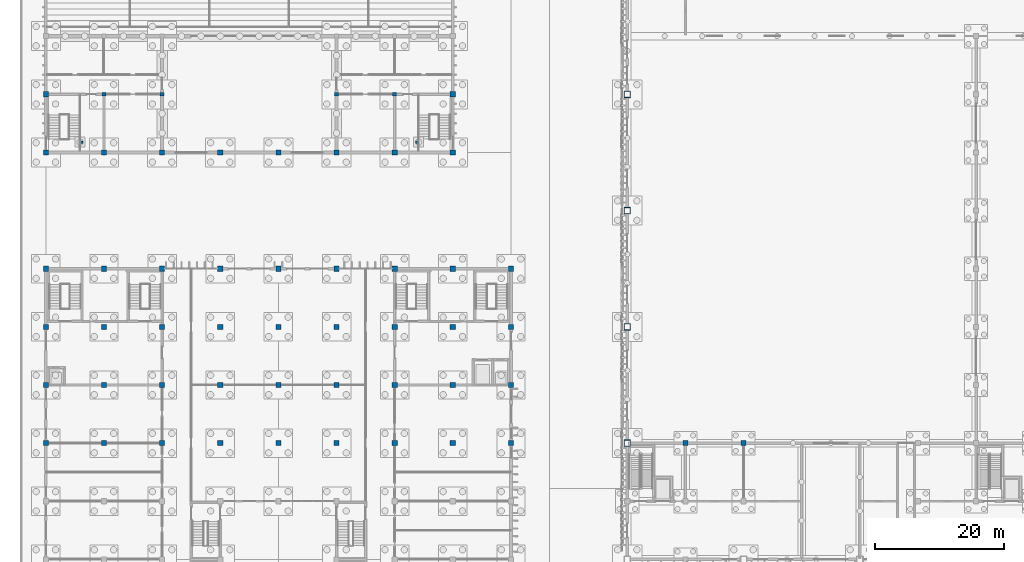
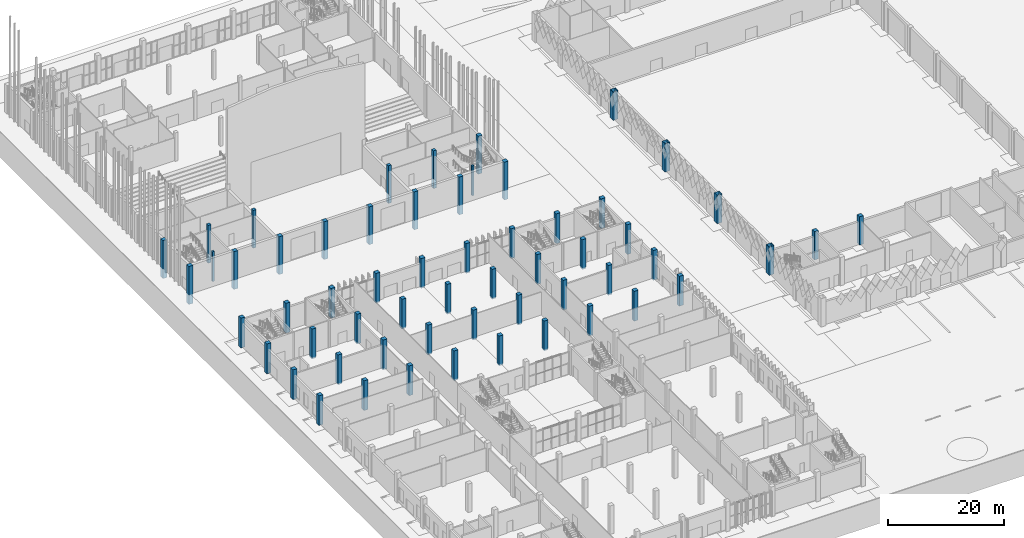
# One storey, part 19 of 198: 58 columns.
"""IFC4 building model written with IfcOpenShell, lengths in metres."""

from ifc_helpers import new_model, si_unit, direction, frame, origin, origin_2d, place, context, subcontext, project, spatial, rectangle, hollow_rectangle, extrude, material, material_profile, profile_set, type_object, element, save


model = new_model("IFC4")

# Units and contexts
model_context = context("Model", 3, precision=1e-05, world=origin(), true_north=direction((0.0, 1.0)))
body_context = subcontext(model_context, "Body", "Model", "MODEL_VIEW")
ifc_project = project(units=[si_unit("LENGTHUNIT", "METRE"), si_unit("AREAUNIT", "SQUARE_METRE"), si_unit("VOLUMEUNIT", "CUBIC_METRE"), si_unit("PLANEANGLEUNIT", "RADIAN"), si_unit("MASSUNIT", "GRAM", prefix="KILO")], contexts=[model_context])

# Site, building, storey
site_placement = place(None, origin())
site = spatial("IfcSite", under=ifc_project, at=site_placement, CompositionType="ELEMENT")
building_placement = place(site_placement, origin())
building = spatial("IfcBuilding", under=site, at=building_placement, Name="Opaline Strait Convention Centre", CompositionType="ELEMENT")
storey_placement = place(building_placement, origin())
storey = spatial("IfcBuildingStorey", under=building, at=storey_placement, Name="L00", CompositionType="ELEMENT", Elevation=0.0)

# Columns
ifc_material_1 = material(Name="Steel Q355B", Category="steel")
ifc_material_profile_1 = material_profile(ifc_material_1, hollow_rectangle(XDim=1.0, YDim=1.0, WallThickness=0.031982421875, at=origin_2d()), Name="BOX 1000x1000x32")
ifc_profile_set_1 = profile_set([ifc_material_profile_1], Name="Steel Q355B")
column_type_1 = type_object("IfcColumnType", Name="CFT column BOX 1000x1000x32 C60 fill", PredefinedType="COLUMN", material=ifc_profile_set_1)
for number, where, z_axis, x_axis, name in (
    (1, (99.0, 72.0, 0.0), (0.0, 0.0, 1.0), (1.0, 0.0, 0.0), "Roof column XC-02"),
    (2, (99.0, 90.0, 0.0), (0.0, 0.0, 1.0), (1.0, 0.0, 0.0), "Roof column XC-03"),
    (3, (99.0, 108.0, 0.0), (0.0, 0.0, 1.0), (1.0, 0.0, 0.0), "Roof column XC-04"),
    (4, (99.0, 126.0, 0.0), (0.0, 0.0, 1.0), (1.0, 0.0, 0.0), "Roof column XC-05"),
):
    element("IfcColumn", number, at=place(storey_placement, frame(where, z_axis=z_axis, x_axis=x_axis)), inside=storey, type_object=column_type_1, Name=name, ObjectType="XC1", PredefinedType="COLUMN", context=body_context, shape_type="SweptSolid", body=[
        extrude(hollow_rectangle(XDim=1.0, YDim=1.0, WallThickness=0.031982421875, at=origin_2d()), origin(), (0.0, 0.0, 1.0), 6.0),
    ])
ifc_material_2 = material(Name="Concrete C40", Category="concrete")
ifc_material_profile_2 = material_profile(ifc_material_2, rectangle(XDim=0.39990234375, YDim=0.39990234375, at=origin_2d()), Name="RC 400x400")
ifc_profile_set_2 = profile_set([ifc_material_profile_2], Name="Concrete C40")
column_type_2 = type_object("IfcColumnType", Name="RC column 400x400 C40", PredefinedType="COLUMN", material=ifc_profile_set_2)
for number, where, z_axis, x_axis, name in (
    (5, (14.550048828125, 118.60009765625, -0.300048828125), (0.0, 0.0, 1.0), (1.0, 0.0, 0.0), "PC3 L00 SW stair landing column"),
    (6, (66.449951171875, 118.60009765625, -0.300048828125), (0.0, 0.0, 1.0), (1.0, 0.0, 0.0), "PC3 L00 SE stair landing column"),
):
    element("IfcColumn", number, at=place(storey_placement, frame(where, z_axis=z_axis, x_axis=x_axis)), inside=storey, type_object=column_type_2, Name=name, PredefinedType="COLUMN", context=body_context, shape_type="SweptSolid", body=[
        extrude(rectangle(XDim=0.39990234375, YDim=0.39990234375, at=origin_2d()), origin(), (0.0, 0.0, 1.0), 6.300048828125),
    ])
ifc_material_profile_3 = material_profile(ifc_material_2, rectangle(XDim=0.60009765625, YDim=0.60009765625, at=origin_2d()), Name="RC 600x600")
ifc_profile_set_3 = profile_set([ifc_material_profile_3], Name="Concrete C40")
column_type_3 = type_object("IfcColumnType", Name="RC column 600x600 C40", PredefinedType="COLUMN", material=ifc_profile_set_3)
for number, where, z_axis, x_axis, name in (
    (7, (18.0, 126.0, -2.0), (0.0, 0.0, 1.0), (1.0, 0.0, 0.0), "PC2 L00 at 3/Q"),
    (8, (27.0, 126.0, -2.0), (0.0, 0.0, 1.0), (1.0, 0.0, 0.0), "PC2 L00 at 4/Q"),
    (9, (54.0, 126.0, -2.0), (0.0, 0.0, 1.0), (1.0, 0.0, 0.0), "PC2 L00 at 7/Q"),
    (10, (63.0, 126.0, -2.0), (0.0, 0.0, 1.0), (1.0, 0.0, 0.0), "PC2 L00 at 8/Q"),
):
    element("IfcColumn", number, at=place(storey_placement, frame(where, z_axis=z_axis, x_axis=x_axis)), inside=storey, type_object=column_type_3, Name=name, PredefinedType="COLUMN", context=body_context, shape_type="SweptSolid", body=[
        extrude(rectangle(XDim=0.60009765625, YDim=0.60009765625, at=origin_2d()), origin(), (0.0, 0.0, 1.0), 8.0),
    ])
ifc_material_profile_4 = material_profile(ifc_material_2, rectangle(XDim=0.800048828125, YDim=0.800048828125, at=origin_2d()), Name="RC 800x800")
ifc_profile_set_4 = profile_set([ifc_material_profile_4], Name="Concrete C40")
column_type_4 = type_object("IfcColumnType", Name="RC column 800x800 C40", PredefinedType="COLUMN", material=ifc_profile_set_4)
for number, where, z_axis, x_axis, name in (
    (11, (108.0, 72.0, 0.0), (0.0, 0.0, 1.0), (1.0, 0.0, 0.0), "Strip column XC-50"),
    (12, (117.0, 72.0, 0.0), (0.0, 0.0, 1.0), (1.0, 0.0, 0.0), "Strip column XC-51"),
):
    element("IfcColumn", number, at=place(storey_placement, frame(where, z_axis=z_axis, x_axis=x_axis)), inside=storey, type_object=column_type_4, Name=name, ObjectType="XC2", PredefinedType="COLUMN", context=body_context, shape_type="SweptSolid", body=[
        extrude(rectangle(XDim=0.800048828125, YDim=0.800048828125, at=origin_2d()), origin(), (0.0, 0.0, 1.0), 6.0),
    ])
for number, where, z_axis, x_axis, name in (
    (13, (9.0, 117.0, -2.0), (0.0, 0.0, 1.0), (1.0, 0.0, 0.0), "XC2 L00 at 2/P"),
    (14, (18.0, 117.0, -2.0), (0.0, 0.0, 1.0), (1.0, 0.0, 0.0), "XC2 L00 at 3/P"),
    (15, (27.0, 117.0, -2.0), (0.0, 0.0, 1.0), (1.0, 0.0, 0.0), "XC2 L00 at 4/P"),
    (16, (36.0, 117.0, -2.0), (0.0, 0.0, 1.0), (1.0, 0.0, 0.0), "XC2 L00 at 5/P"),
    (17, (45.0, 117.0, -2.0), (0.0, 0.0, 1.0), (1.0, 0.0, 0.0), "XC2 L00 at 6/P"),
    (18, (54.0, 117.0, -2.0), (0.0, 0.0, 1.0), (1.0, 0.0, 0.0), "XC2 L00 at 7/P"),
    (19, (63.0, 117.0, -2.0), (0.0, 0.0, 1.0), (1.0, 0.0, 0.0), "XC2 L00 at 8/P"),
    (20, (72.0, 117.0, -2.0), (0.0, 0.0, 1.0), (1.0, 0.0, 0.0), "XC2 L00 at 9/P"),
    (21, (9.0, 126.0, -2.0), (0.0, 0.0, 1.0), (1.0, 0.0, 0.0), "XC2 L00 at 2/Q"),
    (22, (72.0, 126.0, -2.0), (0.0, 0.0, 1.0), (1.0, 0.0, 0.0), "XC2 L00 at 9/Q"),
):
    element("IfcColumn", number, at=place(storey_placement, frame(where, z_axis=z_axis, x_axis=x_axis)), inside=storey, type_object=column_type_4, Name=name, PredefinedType="COLUMN", context=body_context, shape_type="SweptSolid", body=[
        extrude(rectangle(XDim=0.800048828125, YDim=0.800048828125, at=origin_2d()), origin(), (0.0, 0.0, 1.0), 8.0),
    ])
for number, where, z_axis, x_axis, name in (
    (23, (9.0, 72.0, -0.300048828125), (0.0, 0.0, 1.0), (1.0, 0.0, 0.0), "RC1 L00 at 9/72"),
    (24, (9.0, 81.0, -0.300048828125), (0.0, 0.0, 1.0), (1.0, 0.0, 0.0), "RC1 L00 at 9/81"),
    (25, (9.0, 90.0, -0.300048828125), (0.0, 0.0, 1.0), (1.0, 0.0, 0.0), "RC1 L00 at 9/90"),
    (26, (9.0, 99.0, -0.300048828125), (0.0, 0.0, 1.0), (1.0, 0.0, 0.0), "RC1 L00 at 9/99"),
    (27, (18.0, 72.0, -0.300048828125), (0.0, 0.0, 1.0), (1.0, 0.0, 0.0), "RC1 L00 at 18/72"),
    (28, (18.0, 81.0, -0.300048828125), (0.0, 0.0, 1.0), (1.0, 0.0, 0.0), "RC1 L00 at 18/81"),
    (29, (18.0, 90.0, -0.300048828125), (0.0, 0.0, 1.0), (1.0, 0.0, 0.0), "RC1 L00 at 18/90"),
    (30, (18.0, 99.0, -0.300048828125), (0.0, 0.0, 1.0), (1.0, 0.0, 0.0), "RC1 L00 at 18/99"),
    (31, (27.0, 72.0, -0.300048828125), (0.0, 0.0, 1.0), (1.0, 0.0, 0.0), "RC1 L00 at 27/72"),
    (32, (27.0, 81.0, -0.300048828125), (0.0, 0.0, 1.0), (1.0, 0.0, 0.0), "RC1 L00 at 27/81"),
    (33, (27.0, 90.0, -0.300048828125), (0.0, 0.0, 1.0), (1.0, 0.0, 0.0), "RC1 L00 at 27/90"),
    (34, (27.0, 99.0, -0.300048828125), (0.0, 0.0, 1.0), (1.0, 0.0, 0.0), "RC1 L00 at 27/99"),
    (35, (36.0, 72.0, -0.300048828125), (0.0, 0.0, 1.0), (1.0, 0.0, 0.0), "RC1 L00 at 36/72"),
    (36, (36.0, 81.0, -0.300048828125), (0.0, 0.0, 1.0), (1.0, 0.0, 0.0), "RC1 L00 at 36/81"),
    (37, (36.0, 90.0, -0.300048828125), (0.0, 0.0, 1.0), (1.0, 0.0, 0.0), "RC1 L00 at 36/90"),
    (38, (36.0, 99.0, -0.300048828125), (0.0, 0.0, 1.0), (1.0, 0.0, 0.0), "RC1 L00 at 36/99"),
    (39, (45.0, 72.0, -0.300048828125), (0.0, 0.0, 1.0), (1.0, 0.0, 0.0), "RC1 L00 at 45/72"),
    (40, (45.0, 81.0, -0.300048828125), (0.0, 0.0, 1.0), (1.0, 0.0, 0.0), "RC1 L00 at 45/81"),
    (41, (45.0, 90.0, -0.300048828125), (0.0, 0.0, 1.0), (1.0, 0.0, 0.0), "RC1 L00 at 45/90"),
    (42, (45.0, 99.0, -0.300048828125), (0.0, 0.0, 1.0), (1.0, 0.0, 0.0), "RC1 L00 at 45/99"),
    (43, (54.0, 72.0, -0.300048828125), (0.0, 0.0, 1.0), (1.0, 0.0, 0.0), "RC1 L00 at 54/72"),
    (44, (54.0, 81.0, -0.300048828125), (0.0, 0.0, 1.0), (1.0, 0.0, 0.0), "RC1 L00 at 54/81"),
    (45, (54.0, 90.0, -0.300048828125), (0.0, 0.0, 1.0), (1.0, 0.0, 0.0), "RC1 L00 at 54/90"),
    (46, (54.0, 99.0, -0.300048828125), (0.0, 0.0, 1.0), (1.0, 0.0, 0.0), "RC1 L00 at 54/99"),
    (47, (63.0, 72.0, -0.300048828125), (0.0, 0.0, 1.0), (1.0, 0.0, 0.0), "RC1 L00 at 63/72"),
    (48, (63.0, 81.0, -0.300048828125), (0.0, 0.0, 1.0), (1.0, 0.0, 0.0), "RC1 L00 at 63/81"),
    (49, (63.0, 90.0, -0.300048828125), (0.0, 0.0, 1.0), (1.0, 0.0, 0.0), "RC1 L00 at 63/90"),
    (50, (63.0, 99.0, -0.300048828125), (0.0, 0.0, 1.0), (1.0, 0.0, 0.0), "RC1 L00 at 63/99"),
    (51, (72.0, 72.0, -0.300048828125), (0.0, 0.0, 1.0), (1.0, 0.0, 0.0), "RC1 L00 at 72/72"),
    (52, (72.0, 81.0, -0.300048828125), (0.0, 0.0, 1.0), (1.0, 0.0, 0.0), "RC1 L00 at 72/81"),
    (53, (72.0, 90.0, -0.300048828125), (0.0, 0.0, 1.0), (1.0, 0.0, 0.0), "RC1 L00 at 72/90"),
    (54, (72.0, 99.0, -0.300048828125), (0.0, 0.0, 1.0), (1.0, 0.0, 0.0), "RC1 L00 at 72/99"),
    (55, (81.0, 72.0, -0.300048828125), (0.0, 0.0, 1.0), (1.0, 0.0, 0.0), "RC1 L00 at 81/72"),
    (56, (81.0, 81.0, -0.300048828125), (0.0, 0.0, 1.0), (1.0, 0.0, 0.0), "RC1 L00 at 81/81"),
    (57, (81.0, 90.0, -0.300048828125), (0.0, 0.0, 1.0), (1.0, 0.0, 0.0), "RC1 L00 at 81/90"),
    (58, (81.0, 99.0, -0.300048828125), (0.0, 0.0, 1.0), (1.0, 0.0, 0.0), "RC1 L00 at 81/99"),
):
    element("IfcColumn", number, at=place(storey_placement, frame(where, z_axis=z_axis, x_axis=x_axis)), inside=storey, type_object=column_type_4, Name=name, PredefinedType="COLUMN", context=body_context, shape_type="SweptSolid", body=[
        extrude(rectangle(XDim=0.800048828125, YDim=0.800048828125, at=origin_2d()), origin(), (0.0, 0.0, 1.0), 6.300048828125),
    ])

save(model, "model.ifc")
